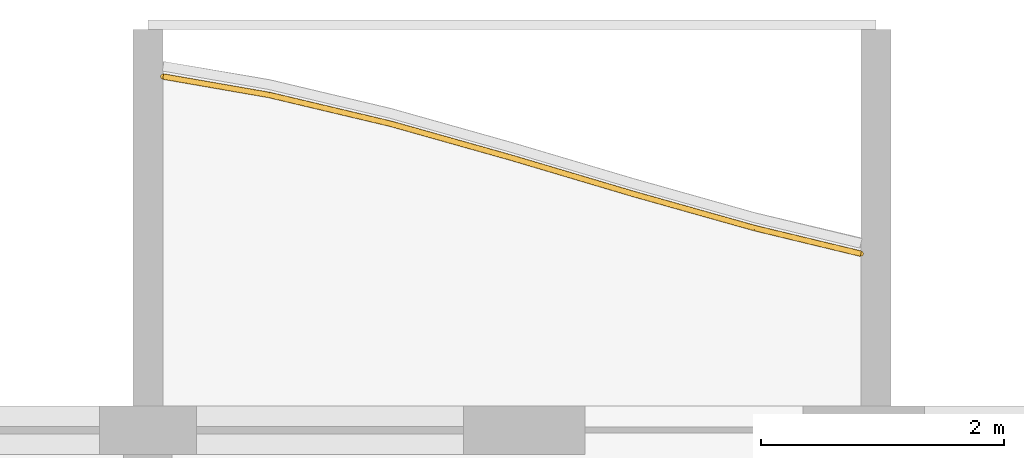
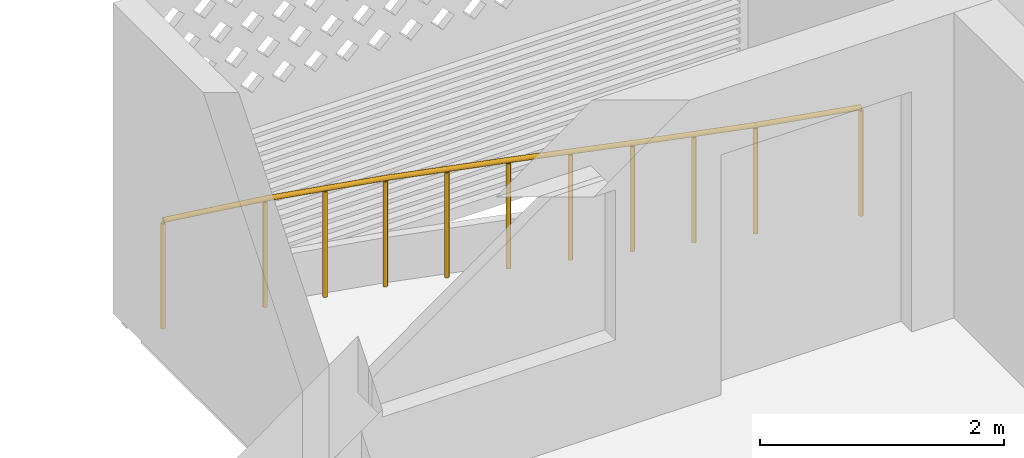
# One storey, part 26 of 38: 1 railing.
"""IFC4 building model written with IfcOpenShell, lengths in metres."""

from ifc_helpers import new_model, si_unit, direction, frame, origin, origin_2d, place, context, subcontext, project, spatial, circle, extrude, material, type_object, element, save


model = new_model("IFC4")

# Units and contexts
model_context = context("Model", 3, precision=1e-05, world=origin(), true_north=direction((0.0, 1.0)))
body_context = subcontext(model_context, "Body", "Model", "MODEL_VIEW")
ifc_project = project(units=[si_unit("LENGTHUNIT", "METRE"), si_unit("AREAUNIT", "SQUARE_METRE"), si_unit("VOLUMEUNIT", "CUBIC_METRE"), si_unit("PLANEANGLEUNIT", "RADIAN"), si_unit("MASSUNIT", "GRAM", prefix="KILO")], contexts=[model_context])

# Site, building, storey
site_placement = place(None, origin())
site = spatial("IfcSite", under=ifc_project, at=site_placement, CompositionType="ELEMENT")
building_placement = place(site_placement, origin())
building = spatial("IfcBuilding", under=site, at=building_placement, Name="Poui Terraces", CompositionType="ELEMENT")
storey_placement = place(building_placement, frame((0.0, 0.0, 43.199951171875)))
storey = spatial("IfcBuildingStorey", under=building, at=storey_placement, Name="L11", CompositionType="ELEMENT", Elevation=43.199951171875)

# Railing
ifc_material = material(Name="Painted steel fretwork", Category="steel")
railing_type = type_object("IfcRailingType", Name="BALCONY GUARD 1100", PredefinedType="GUARDRAIL", material=ifc_material)
railing_placement = place(storey_placement, frame((42.125, 47.714111328125, 0.0)))
element("IfcRailing", 1, at=railing_placement, inside=storey, type_object=railing_type, Name="BALCONY GUARD", PredefinedType="GUARDRAIL", context=body_context, shape_type="SweptSolid", body=[
    extrude(circle(Radius=0.02392578125, at=origin_2d()), frame((0.0, 0.0, 1.076171875), z_axis=(0.98522587455, -0.171259966475, 0.0), x_axis=(0.171259966475, 0.98522587455, 0.0)), (0.0, 0.0, 1.0), 0.88818359375),
    extrude(circle(Radius=0.02392578125, at=origin_2d()), frame((0.875, -0.152099609375, 1.076171875), z_axis=(0.973032599544, -0.230667640175, 0.0), x_axis=(0.230667640175, 0.973032599544, 0.0)), (0.0, 0.0, 1.0), 1.02783203125),
    extrude(circle(Radius=0.02392578125, at=origin_2d()), frame((1.875, -0.38916015625, 1.076171875), z_axis=(0.962589664763, -0.270963350457, 0.0), x_axis=(0.270963350457, 0.962589664763, 0.0)), (0.0, 0.0, 1.0), 1.038818359375),
    extrude(circle(Radius=0.02392578125, at=origin_2d()), frame((2.875, -0.670654296875, 1.076171875), z_axis=(0.958646866278, -0.284598288426, 0.0), x_axis=(0.284598288426, 0.958646866278, 0.0)), (0.0, 0.0, 1.0), 1.043212890625),
    extrude(circle(Radius=0.02392578125, at=origin_2d()), frame((3.875, -0.967529296875, 1.076171875), z_axis=(0.962589664763, -0.270963350457, 0.0), x_axis=(0.270963350457, 0.962589664763, 0.0)), (0.0, 0.0, 1.0), 1.038818359375),
    extrude(circle(Radius=0.02392578125, at=origin_2d()), frame((4.875, -1.2490234375, 1.076171875), z_axis=(0.97215043642, -0.234357694494, 0.0), x_axis=(0.234357694494, 0.97215043642, 0.0)), (0.0, 0.0, 1.0), 0.900146484375),
    extrude(circle(Radius=0.02099609375, at=origin_2d()), origin(), (0.0, 0.0, 1.0), 1.052001953125),
    extrude(circle(Radius=0.02099609375, at=origin_2d()), frame((0.875, -0.152099609375, 0.0)), (0.0, 0.0, 1.0), 1.052001953125),
    extrude(circle(Radius=0.02099609375, at=origin_2d()), frame((1.375, -0.2705078125, 0.0)), (0.0, 0.0, 1.0), 1.052001953125),
    extrude(circle(Radius=0.02099609375, at=origin_2d()), frame((1.875, -0.38916015625, 0.0)), (0.0, 0.0, 1.0), 1.052001953125),
    extrude(circle(Radius=0.02099609375, at=origin_2d()), frame((2.375, -0.52978515625, 0.0)), (0.0, 0.0, 1.0), 1.052001953125),
    extrude(circle(Radius=0.02099609375, at=origin_2d()), frame((2.875, -0.670654296875, 0.0)), (0.0, 0.0, 1.0), 1.052001953125),
    extrude(circle(Radius=0.02099609375, at=origin_2d()), frame((3.375, -0.819091796875, 0.0)), (0.0, 0.0, 1.0), 1.052001953125),
    extrude(circle(Radius=0.02099609375, at=origin_2d()), frame((3.875, -0.967529296875, 0.0)), (0.0, 0.0, 1.0), 1.052001953125),
    extrude(circle(Radius=0.02099609375, at=origin_2d()), frame((4.375, -1.1083984375, 0.0)), (0.0, 0.0, 1.0), 1.052001953125),
    extrude(circle(Radius=0.02099609375, at=origin_2d()), frame((4.875, -1.2490234375, 0.0)), (0.0, 0.0, 1.0), 1.052001953125),
    extrude(circle(Radius=0.02099609375, at=origin_2d()), frame((5.75, -1.4599609375, 0.0)), (0.0, 0.0, 1.0), 1.052001953125),
])

save(model, "model.ifc")
